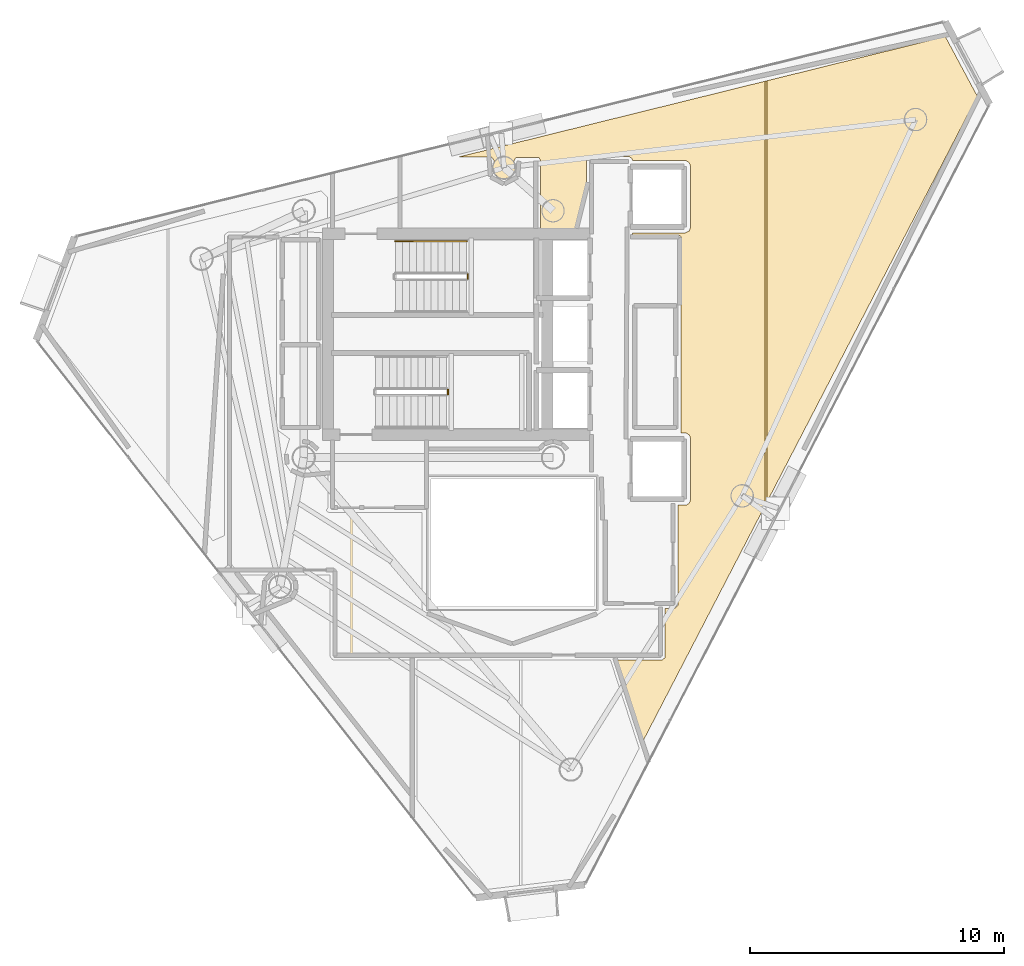
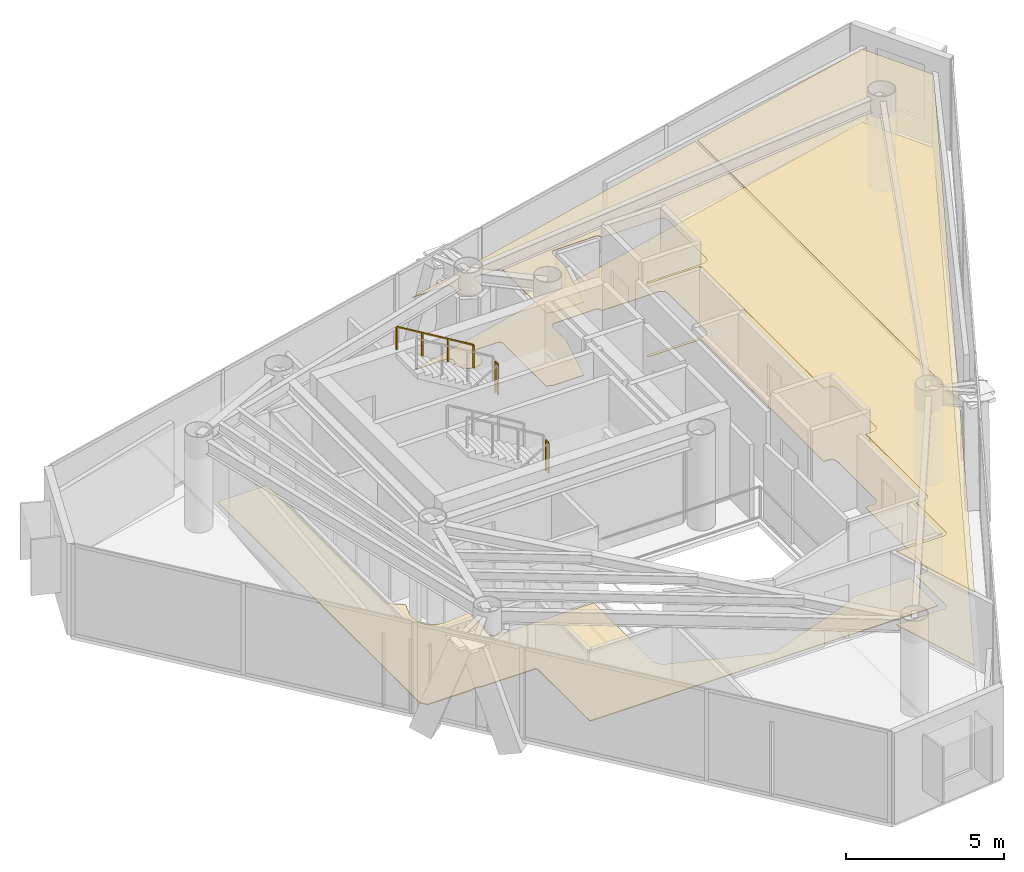
# One storey, part 21 of 21: 4 coverings, 3 railings.
"""IFC4 building model written with IfcOpenShell, lengths in metres."""

from ifc_helpers import new_model, si_unit, direction, frame, origin, origin_2d, place, context, subcontext, project, spatial, polyline, rectangle, outline, extrude, material, layer, layer_set, type_object, element, save


model = new_model("IFC4")

# Units and contexts
model_context = context("Model", 3, precision=1e-05, world=origin(), true_north=direction((0.0, 1.0)))
body_context = subcontext(model_context, "Body", "Model", "MODEL_VIEW")
ifc_project = project(units=[si_unit("LENGTHUNIT", "METRE"), si_unit("AREAUNIT", "SQUARE_METRE"), si_unit("VOLUMEUNIT", "CUBIC_METRE"), si_unit("PLANEANGLEUNIT", "RADIAN"), si_unit("MASSUNIT", "GRAM", prefix="KILO")], contexts=[model_context])

# Site, building, storey
site_placement = place(None, origin())
site = spatial("IfcSite", under=ifc_project, at=site_placement, CompositionType="ELEMENT")
building_placement = place(site_placement, origin())
building = spatial("IfcBuilding", under=site, at=building_placement, Name="Qianvela Tower", CompositionType="ELEMENT")
storey_placement = place(building_placement, frame((0.0, 0.0, 310.199951171875)))
storey = spatial("IfcBuildingStorey", under=building, at=storey_placement, Name="L80", CompositionType="ELEMENT", Elevation=310.199951171875)

# Coverings
ifc_material_1 = material(Name="Perforated Mineral Acoustic Ceiling Tile")
ifc_layer_1 = layer(ifc_material_1, 0.02490234375)
ifc_layer_set_1 = layer_set([ifc_layer_1], Name="Perforated Mineral Acoustic Ceiling Tile")
covering_type_1 = type_object("IfcCoveringType", Name="COV-CEIL-ACOUSTIC-25", PredefinedType="CEILING", material=ifc_layer_set_1)
covering_1_placement = place(storey_placement, frame((0.0, 0.0, 2.81494140625)))
element("IfcCovering", 1, at=covering_1_placement, inside=storey, type_object=covering_type_1, Name="L80 Acoustic Ceiling Bay 1 Student Tea Pantry L80-02", PredefinedType="CEILING", context=body_context, shape_type="SweptSolid", body=[
    extrude(outline(polyline([(41.512939453125, 35.562744140625), (41.511474609375, 35.5703125), (41.509033203125, 35.577880859375), (41.506103515625, 35.585205078125), (41.50244140625, 35.591796875), (41.498046875, 35.598388671875), (41.4931640625, 35.6044921875), (41.487548828125, 35.60986328125), (41.481689453125, 35.614990234375), (41.41552734375, 35.663818359375), (41.4091796875, 35.66796875), (41.40283203125, 35.671630859375), (41.39599609375, 35.674560546875), (41.388916015625, 35.6767578125), (41.381591796875, 35.678466796875), (41.374267578125, 35.679443359375), (41.366943359375, 35.6796875), (39.828369140625, 35.661865234375), (39.8203125, 35.661376953125), (39.812255859375, 35.659912109375), (39.804443359375, 35.657958984375), (39.796875, 35.655029296875), (39.78955078125, 35.6513671875), (39.78271484375, 35.64697265625), (39.7763671875, 35.641845703125), (39.7705078125, 35.63623046875), (39.765380859375, 35.6298828125), (39.7607421875, 35.623291015625), (39.7568359375, 35.615966796875), (39.727783203125, 35.55419921875), (39.724365234375, 35.5458984375), (39.721923828125, 35.53759765625), (39.720458984375, 35.52880859375), (39.719970703125, 35.52001953125), (39.719970703125, 34.664306640625), (39.2353515625, 32.719970703125), (38.129150390625, 32.719970703125), (38.068115234375, 32.756103515625), (38.060791015625, 32.760009765625), (38.052978515625, 32.76318359375), (38.044921875, 32.765380859375), (38.03662109375, 32.766845703125), (38.0283203125, 32.767333984375), (37.907470703125, 32.768798828125), (37.909912109375, 35.5), (37.90966796875, 35.5078125), (37.908447265625, 35.515625), (37.906494140625, 35.523193359375), (37.90380859375, 35.530517578125), (37.900634765625, 35.53759765625), (37.864990234375, 35.604248046875), (37.861083984375, 35.611083984375), (37.856201171875, 35.6171875), (37.85107421875, 35.623046875), (37.84521484375, 35.62841796875), (37.8388671875, 35.633056640625), (37.83203125, 35.63720703125), (37.824951171875, 35.640380859375), (37.817626953125, 35.64306640625), (37.81005859375, 35.64501953125), (37.80224609375, 35.64599609375), (37.79443359375, 35.646484375), (36.981689453125, 35.64599609375), (36.973876953125, 35.645751953125), (36.966064453125, 35.64453125), (36.958251953125, 35.642578125), (36.95068359375, 35.639892578125), (36.943603515625, 35.63623046875), (36.936767578125, 35.632080078125), (36.930419921875, 35.627197265625), (36.924560546875, 35.621826171875), (36.919189453125, 35.615966796875), (36.91455078125, 35.609375), (36.91064453125, 35.6025390625), (36.875732421875, 35.5341796875), (36.87255859375, 35.527099609375), (36.8701171875, 35.51953125), (36.8681640625, 35.511962890625), (36.8671875, 35.504150390625), (36.866943359375, 35.49609375), (36.86767578125, 35.48828125), (36.868896484375, 35.48046875), (36.92431640625, 35.23291015625), (36.91748046875, 35.163330078125), (36.84765625, 34.99462890625), (36.72705078125, 34.874267578125), (36.4755859375, 34.796142578125), (36.305419921875, 34.830078125), (36.10302734375, 34.998291015625), (36.03466796875, 35.163330078125), (36.02783203125, 35.23291015625), (36.0830078125, 35.48046875), (36.08447265625, 35.48779296875), (36.0849609375, 35.495361328125), (36.0849609375, 35.502685546875), (36.083984375, 35.51025390625), (36.08251953125, 35.517578125), (36.080322265625, 35.524658203125), (36.077392578125, 35.53173828125), (36.07421875, 35.538330078125), (36.070068359375, 35.544677734375), (36.013671875, 35.623046875), (36.0087890625, 35.62890625), (36.003662109375, 35.634521484375), (35.997802734375, 35.639404296875), (35.99169921875, 35.643798828125), (35.985107421875, 35.647705078125), (35.978271484375, 35.650634765625), (35.97119140625, 35.6533203125), (35.9638671875, 35.655029296875), (35.956298828125, 35.656005859375), (35.94873046875, 35.656494140625), (34.66748046875, 35.65869140625), (46.723388671875, 38.639404296875), (46.723388671875, 21.94140625), (41.942626953125, 12.721435546875), (40.9130859375, 15.889892578125), (42.64990234375, 15.889892578125), (42.6572265625, 15.890380859375), (42.66455078125, 15.891357421875), (42.671630859375, 15.89306640625), (42.678466796875, 15.895263671875), (42.685302734375, 15.898193359375), (42.691650390625, 15.901611328125), (42.69775390625, 15.90576171875), (42.774169921875, 15.96240234375), (42.780517578125, 15.9677734375), (42.786376953125, 15.9736328125), (42.79150390625, 15.980224609375), (42.7958984375, 15.987060546875), (42.7998046875, 15.994384765625), (42.802734375, 16.002197265625), (42.8046875, 16.01025390625), (42.80615234375, 16.0185546875), (42.806640625, 16.026611328125), (42.807373046875, 17.920166015625), (43.157958984375, 17.92041015625), (43.165771484375, 17.9208984375), (43.173583984375, 17.921875), (43.18115234375, 17.923828125), (43.1884765625, 17.926513671875), (43.195556640625, 17.9296875), (43.202392578125, 17.933837890625), (43.20849609375, 17.938720703125), (43.21435546875, 17.94384765625), (43.2861328125, 18.015625), (43.29150390625, 18.021484375), (43.296142578125, 18.027587890625), (43.30029296875, 18.034423828125), (43.303466796875, 18.04150390625), (43.30615234375, 18.048828125), (43.30810546875, 18.056640625), (43.30908203125, 18.064208984375), (43.3095703125, 18.072265625), (43.309326171875, 21.981201171875), (43.621826171875, 21.986083984375), (43.62939453125, 21.986572265625), (43.63720703125, 21.98779296875), (43.64453125, 21.98974609375), (43.651611328125, 21.9921875), (43.658447265625, 21.99560546875), (43.6650390625, 21.99951171875), (43.732666015625, 22.044677734375), (43.739013671875, 22.04931640625), (43.744873046875, 22.0546875), (43.75, 22.060302734375), (43.754638671875, 22.066650390625), (43.7587890625, 22.073486328125), (43.76220703125, 22.08056640625), (43.793212890625, 22.15576171875), (43.7958984375, 22.1630859375), (43.7978515625, 22.170654296875), (43.798828125, 22.178466796875), (43.79931640625, 22.186279296875), (43.800048828125, 24.60009765625), (43.7998046875, 24.606689453125), (43.798828125, 24.61376953125), (43.79736328125, 24.620361328125), (43.79541015625, 24.626953125), (43.763427734375, 24.7158203125), (43.76025390625, 24.723388671875), (43.75634765625, 24.73095703125), (43.75146484375, 24.73779296875), (43.74609375, 24.744140625), (43.73974609375, 24.75), (43.733154296875, 24.7548828125), (43.725830078125, 24.759521484375), (43.63134765625, 24.809814453125), (43.624267578125, 24.813232421875), (43.616943359375, 24.81591796875), (43.609375, 24.81787109375), (43.6015625, 24.81884765625), (43.59375, 24.8193359375), (43.423828125, 24.8193359375), (43.423828125, 24.8193359375), (43.426513671875, 24.826904296875), (43.428466796875, 24.83447265625), (43.4296875, 24.84228515625), (43.429931640625, 24.85009765625), (43.429931640625, 32.5), (43.4296875, 32.5078125), (43.428466796875, 32.515625), (43.426513671875, 32.523193359375), (43.423828125, 32.530517578125), (43.420654296875, 32.53759765625), (43.41650390625, 32.54443359375), (43.411865234375, 32.55078125), (43.406494140625, 32.556640625), (43.40087890625, 32.561767578125), (43.394287109375, 32.56640625), (43.3876953125, 32.570556640625), (43.380615234375, 32.573974609375), (43.373291015625, 32.57666015625), (43.365478515625, 32.57861328125), (43.35791015625, 32.57958984375), (43.35009765625, 32.580078125), (41.52001953125, 32.580078125), (41.52001953125, 32.679931640625), (43.580078125, 32.679931640625), (43.587158203125, 32.680419921875), (43.593994140625, 32.68115234375), (43.60107421875, 32.682861328125), (43.607666015625, 32.684814453125), (43.6142578125, 32.687744140625), (43.722412109375, 32.739013671875), (43.729248046875, 32.74267578125), (43.73583984375, 32.746826171875), (43.741943359375, 32.751953125), (43.74755859375, 32.757568359375), (43.75244140625, 32.763427734375), (43.7568359375, 32.77001953125), (43.760498046875, 32.777099609375), (43.763427734375, 32.7841796875), (43.79541015625, 32.873046875), (43.7978515625, 32.8818359375), (43.799560546875, 32.890869140625), (43.800048828125, 32.89990234375), (43.800048828125, 35.300048828125), (43.799560546875, 35.30908203125), (43.7978515625, 35.318115234375), (43.79541015625, 35.326904296875), (43.763427734375, 35.415771484375), (43.7607421875, 35.422607421875), (43.75732421875, 35.42919921875), (43.75341796875, 35.435302734375), (43.748779296875, 35.441162109375), (43.74365234375, 35.4462890625), (43.73828125, 35.451416015625), (43.732421875, 35.45556640625), (43.725830078125, 35.45947265625), (43.63134765625, 35.510009765625), (43.624267578125, 35.51318359375), (43.616943359375, 35.515869140625), (43.609375, 35.517822265625), (43.6015625, 35.518798828125), (43.59375, 35.519287109375), (41.515625, 35.52001953125), (41.513916015625, 35.554931640625), (41.512939453125, 35.562744140625)])), origin(), (0.0, 0.0, 1.0), 0.025146484375),
])
covering_2_placement = place(storey_placement, frame((0.0, 0.0, 2.81494140625)))
element("IfcCovering", 2, at=covering_2_placement, inside=storey, type_object=covering_type_1, Name="L80 Acoustic Ceiling Bay 2 Student Tea Pantry L80-02", PredefinedType="CEILING", context=body_context, shape_type="SweptSolid", body=[
    extrude(outline(polyline([(53.818115234375, 40.3935546875), (55.07568359375, 38.0498046875), (46.803466796875, 22.095703125), (46.803466796875, 38.6591796875), (53.818115234375, 40.3935546875)])), origin(), (0.0, 0.0, 1.0), 0.025146484375),
])
ifc_material_2 = material(Name="Engineered Acoustic Oak Timber Flooring", Category="wood")
ifc_layer_2 = layer(ifc_material_2, 0.02001953125)
ifc_layer_set_2 = layer_set([ifc_layer_2], Name="Engineered Acoustic Oak Timber Flooring")
covering_type_2 = type_object("IfcCoveringType", Name="COV-FLOOR-OAK-20", PredefinedType="FLOORING", material=ifc_layer_set_2)
covering_3_placement = place(storey_placement, origin())
element("IfcCovering", 3, at=covering_3_placement, inside=storey, type_object=covering_type_2, Name="L80 Finish Flooring Student Tea Pantry L80-02", PredefinedType="FLOORING", context=body_context, shape_type="SweptSolid", body=[
    extrude(outline(polyline([(41.513916015625, 35.554931640625), (41.512939453125, 35.562744140625), (41.511474609375, 35.5703125), (41.509033203125, 35.577880859375), (41.506103515625, 35.585205078125), (41.50244140625, 35.591796875), (41.498046875, 35.598388671875), (41.4931640625, 35.6044921875), (41.487548828125, 35.60986328125), (41.481689453125, 35.614990234375), (41.41552734375, 35.663818359375), (41.4091796875, 35.66796875), (41.40283203125, 35.671630859375), (41.39599609375, 35.674560546875), (41.388916015625, 35.6767578125), (41.381591796875, 35.678466796875), (41.374267578125, 35.679443359375), (41.366943359375, 35.6796875), (39.828369140625, 35.661865234375), (39.8203125, 35.661376953125), (39.812255859375, 35.659912109375), (39.804443359375, 35.657958984375), (39.796875, 35.655029296875), (39.78955078125, 35.6513671875), (39.78271484375, 35.64697265625), (39.7763671875, 35.641845703125), (39.7705078125, 35.63623046875), (39.765380859375, 35.6298828125), (39.7607421875, 35.623291015625), (39.7568359375, 35.615966796875), (39.727783203125, 35.55419921875), (39.724365234375, 35.5458984375), (39.721923828125, 35.53759765625), (39.720458984375, 35.52880859375), (39.719970703125, 35.52001953125), (39.719970703125, 34.664306640625), (39.2353515625, 32.719970703125), (38.129150390625, 32.719970703125), (38.068115234375, 32.756103515625), (38.060791015625, 32.760009765625), (38.052978515625, 32.76318359375), (38.044921875, 32.765380859375), (38.03662109375, 32.766845703125), (38.0283203125, 32.767333984375), (37.907470703125, 32.768798828125), (37.909912109375, 35.5), (37.90966796875, 35.5078125), (37.908447265625, 35.515625), (37.906494140625, 35.523193359375), (37.90380859375, 35.530517578125), (37.900634765625, 35.53759765625), (37.864990234375, 35.604248046875), (37.861083984375, 35.611083984375), (37.856201171875, 35.6171875), (37.85107421875, 35.623046875), (37.84521484375, 35.62841796875), (37.8388671875, 35.633056640625), (37.83203125, 35.63720703125), (37.824951171875, 35.640380859375), (37.817626953125, 35.64306640625), (37.81005859375, 35.64501953125), (37.80224609375, 35.64599609375), (37.79443359375, 35.646484375), (36.981689453125, 35.64599609375), (36.973876953125, 35.645751953125), (36.966064453125, 35.64453125), (36.958251953125, 35.642578125), (36.95068359375, 35.639892578125), (36.943603515625, 35.63623046875), (36.936767578125, 35.632080078125), (36.930419921875, 35.627197265625), (36.924560546875, 35.621826171875), (36.919189453125, 35.615966796875), (36.91455078125, 35.609375), (36.91064453125, 35.6025390625), (36.875732421875, 35.5341796875), (36.87255859375, 35.527099609375), (36.8701171875, 35.51953125), (36.8681640625, 35.511962890625), (36.8671875, 35.504150390625), (36.866943359375, 35.49609375), (36.86767578125, 35.48828125), (36.868896484375, 35.48046875), (36.92431640625, 35.23291015625), (36.91748046875, 35.163330078125), (36.84765625, 34.99462890625), (36.72705078125, 34.874267578125), (36.4755859375, 34.796142578125), (36.305419921875, 34.830078125), (36.10302734375, 34.998291015625), (36.03466796875, 35.163330078125), (36.02783203125, 35.23291015625), (36.0830078125, 35.48046875), (36.08447265625, 35.48779296875), (36.0849609375, 35.495361328125), (36.0849609375, 35.502685546875), (36.083984375, 35.51025390625), (36.08251953125, 35.517578125), (36.080322265625, 35.524658203125), (36.077392578125, 35.53173828125), (36.07421875, 35.538330078125), (36.070068359375, 35.544677734375), (36.013671875, 35.623046875), (36.0087890625, 35.62890625), (36.003662109375, 35.634521484375), (35.997802734375, 35.639404296875), (35.99169921875, 35.643798828125), (35.985107421875, 35.647705078125), (35.978271484375, 35.650634765625), (35.97119140625, 35.6533203125), (35.9638671875, 35.655029296875), (35.956298828125, 35.656005859375), (35.94873046875, 35.656494140625), (34.66748046875, 35.65869140625), (53.818115234375, 40.3935546875), (55.07568359375, 38.0498046875), (41.942626953125, 12.721435546875), (40.9130859375, 15.889892578125), (42.64990234375, 15.889892578125), (42.6572265625, 15.890380859375), (42.66455078125, 15.891357421875), (42.671630859375, 15.89306640625), (42.678466796875, 15.895263671875), (42.685302734375, 15.898193359375), (42.691650390625, 15.901611328125), (42.69775390625, 15.90576171875), (42.774169921875, 15.96240234375), (42.780517578125, 15.9677734375), (42.786376953125, 15.9736328125), (42.79150390625, 15.980224609375), (42.7958984375, 15.987060546875), (42.7998046875, 15.994384765625), (42.802734375, 16.002197265625), (42.8046875, 16.01025390625), (42.80615234375, 16.0185546875), (42.806640625, 16.026611328125), (42.807373046875, 17.920166015625), (43.157958984375, 17.92041015625), (43.165771484375, 17.9208984375), (43.173583984375, 17.921875), (43.18115234375, 17.923828125), (43.1884765625, 17.926513671875), (43.195556640625, 17.9296875), (43.202392578125, 17.933837890625), (43.20849609375, 17.938720703125), (43.21435546875, 17.94384765625), (43.2861328125, 18.015625), (43.29150390625, 18.021484375), (43.296142578125, 18.027587890625), (43.30029296875, 18.034423828125), (43.303466796875, 18.04150390625), (43.30615234375, 18.048828125), (43.30810546875, 18.056640625), (43.30908203125, 18.064208984375), (43.3095703125, 18.072265625), (43.309326171875, 21.981201171875), (43.621826171875, 21.986083984375), (43.62939453125, 21.986572265625), (43.63720703125, 21.98779296875), (43.64453125, 21.98974609375), (43.651611328125, 21.9921875), (43.658447265625, 21.99560546875), (43.6650390625, 21.99951171875), (43.732666015625, 22.044677734375), (43.739013671875, 22.04931640625), (43.744873046875, 22.0546875), (43.75, 22.060302734375), (43.754638671875, 22.066650390625), (43.7587890625, 22.073486328125), (43.76220703125, 22.08056640625), (43.793212890625, 22.15576171875), (43.7958984375, 22.1630859375), (43.7978515625, 22.170654296875), (43.798828125, 22.178466796875), (43.79931640625, 22.186279296875), (43.800048828125, 24.60009765625), (43.7998046875, 24.606689453125), (43.798828125, 24.61376953125), (43.79736328125, 24.620361328125), (43.79541015625, 24.626953125), (43.763427734375, 24.7158203125), (43.76025390625, 24.723388671875), (43.75634765625, 24.73095703125), (43.75146484375, 24.73779296875), (43.74609375, 24.744140625), (43.73974609375, 24.75), (43.733154296875, 24.7548828125), (43.725830078125, 24.759521484375), (43.63134765625, 24.809814453125), (43.624267578125, 24.813232421875), (43.616943359375, 24.81591796875), (43.609375, 24.81787109375), (43.6015625, 24.81884765625), (43.59375, 24.8193359375), (43.423828125, 24.8193359375), (43.423828125, 24.8193359375), (43.426513671875, 24.826904296875), (43.428466796875, 24.83447265625), (43.4296875, 24.84228515625), (43.429931640625, 24.85009765625), (43.429931640625, 32.5), (43.4296875, 32.5078125), (43.428466796875, 32.515625), (43.426513671875, 32.523193359375), (43.423828125, 32.530517578125), (43.420654296875, 32.53759765625), (43.41650390625, 32.54443359375), (43.411865234375, 32.55078125), (43.406494140625, 32.556640625), (43.40087890625, 32.561767578125), (43.394287109375, 32.56640625), (43.3876953125, 32.570556640625), (43.380615234375, 32.573974609375), (43.373291015625, 32.57666015625), (43.365478515625, 32.57861328125), (43.35791015625, 32.57958984375), (43.35009765625, 32.580078125), (41.52001953125, 32.580078125), (41.52001953125, 32.679931640625), (43.580078125, 32.679931640625), (43.587158203125, 32.680419921875), (43.593994140625, 32.68115234375), (43.60107421875, 32.682861328125), (43.607666015625, 32.684814453125), (43.6142578125, 32.687744140625), (43.722412109375, 32.739013671875), (43.729248046875, 32.74267578125), (43.73583984375, 32.746826171875), (43.741943359375, 32.751953125), (43.74755859375, 32.757568359375), (43.75244140625, 32.763427734375), (43.7568359375, 32.77001953125), (43.760498046875, 32.777099609375), (43.763427734375, 32.7841796875), (43.79541015625, 32.873046875), (43.7978515625, 32.8818359375), (43.799560546875, 32.890869140625), (43.800048828125, 32.89990234375), (43.800048828125, 35.300048828125), (43.799560546875, 35.30908203125), (43.7978515625, 35.318115234375), (43.79541015625, 35.326904296875), (43.763427734375, 35.415771484375), (43.7607421875, 35.422607421875), (43.75732421875, 35.42919921875), (43.75341796875, 35.435302734375), (43.748779296875, 35.441162109375), (43.74365234375, 35.4462890625), (43.73828125, 35.451416015625), (43.732421875, 35.45556640625), (43.725830078125, 35.45947265625), (43.63134765625, 35.510009765625), (43.624267578125, 35.51318359375), (43.616943359375, 35.515869140625), (43.609375, 35.517822265625), (43.6015625, 35.518798828125), (43.59375, 35.519287109375), (41.515625, 35.52001953125), (41.513916015625, 35.554931640625)])), origin(), (0.0, 0.0, 1.0), 0.02001953125),
])
ifc_material_3 = material(Name="Honed Stone Terrazzo Flooring", Category="masonry")
ifc_layer_3 = layer(ifc_material_3, 0.030029296875)
ifc_layer_set_3 = layer_set([ifc_layer_3], Name="Honed Stone Terrazzo Flooring")
covering_type_3 = type_object("IfcCoveringType", Name="COV-FLOOR-TERRAZZO-30", PredefinedType="FLOORING", material=ifc_layer_set_3)
covering_4_placement = place(storey_placement, origin())
element("IfcCovering", 4, at=covering_4_placement, inside=storey, type_object=covering_type_3, Name="L80 Finish Flooring L80 Floor Corridor", PredefinedType="FLOORING", context=body_context, shape_type="SweptSolid", body=[
    extrude(outline(polyline([(25.72998046875, 32.469970703125), (27.5400390625, 32.469970703125), (27.5400390625, 25.04638671875), (27.540283203125, 25.038818359375), (27.54150390625, 25.03125), (27.543212890625, 25.023681640625), (27.545654296875, 25.0166015625), (27.548828125, 25.009765625), (27.552734375, 25.003173828125), (27.61328125, 24.90869140625), (27.61767578125, 24.90283203125), (27.622314453125, 24.8974609375), (27.62744140625, 24.892333984375), (27.633056640625, 24.8876953125), (28.042236328125, 24.584228515625), (27.8662109375, 24.00390625), (27.864501953125, 23.996337890625), (27.86328125, 23.988525390625), (27.850341796875, 23.85791015625), (27.85009765625, 23.85009765625), (27.850341796875, 23.84228515625), (27.8515625, 23.83447265625), (27.902587890625, 23.577880859375), (27.904296875, 23.5703125), (27.906982421875, 23.56298828125), (27.910400390625, 23.555908203125), (27.91455078125, 23.54931640625), (28.059814453125, 23.331787109375), (28.064453125, 23.325439453125), (28.069580078125, 23.319580078125), (28.075439453125, 23.314453125), (28.081787109375, 23.309814453125), (28.29931640625, 23.16455078125), (28.305908203125, 23.160400390625), (28.31298828125, 23.156982421875), (28.3203125, 23.154296875), (28.327880859375, 23.152587890625), (28.58447265625, 23.1015625), (28.59228515625, 23.100341796875), (28.60009765625, 23.10009765625), (28.60791015625, 23.100341796875), (29.55810546875, 23.194091796875), (29.55810546875, 21.877685546875), (29.52001953125, 21.82958984375), (29.515380859375, 21.822998046875), (29.51171875, 21.81640625), (29.508544921875, 21.809326171875), (29.506103515625, 21.802001953125), (29.504150390625, 21.794189453125), (29.503173828125, 21.78662109375), (29.5029296875, 21.77880859375), (29.50341796875, 21.77099609375), (29.504638671875, 21.763427734375), (29.506591796875, 21.755859375), (29.50927734375, 21.74853515625), (29.5126953125, 21.74169921875), (29.516845703125, 21.735107421875), (29.521484375, 21.728759765625), (29.52685546875, 21.722900390625), (29.53271484375, 21.7177734375), (29.538818359375, 21.713134765625), (29.54541015625, 21.709228515625), (29.552490234375, 21.7060546875), (29.559814453125, 21.703369140625), (29.5673828125, 21.701416015625), (29.5751953125, 21.700439453125), (29.5830078125, 21.699951171875), (33.239990234375, 21.699951171875), (33.239990234375, 18.0), (33.240478515625, 17.990234375), (33.242431640625, 17.980712890625), (33.275390625, 17.8486328125), (33.277587890625, 17.841796875), (33.2802734375, 17.8349609375), (33.283447265625, 17.82861328125), (33.287353515625, 17.822509765625), (33.29150390625, 17.81689453125), (33.29638671875, 17.811279296875), (33.411376953125, 17.696533203125), (33.41796875, 17.690673828125), (33.42529296875, 17.685546875), (33.432861328125, 17.68115234375), (33.44091796875, 17.677734375), (36.77294921875, 16.482666015625), (36.780517578125, 16.48046875), (36.7880859375, 16.47900390625), (36.7958984375, 16.47802734375), (36.803955078125, 16.47802734375), (36.811767578125, 16.47900390625), (36.8193359375, 16.48046875), (36.826904296875, 16.482666015625), (40.134033203125, 17.666015625), (40.140869140625, 17.668701171875), (40.1474609375, 17.672119140625), (40.153564453125, 17.676025390625), (40.458740234375, 17.89306640625), (42.570068359375, 17.899658203125), (42.570068359375, 16.1298828125), (29.8798828125, 16.1298828125), (29.8798828125, 19.39990234375), (29.879638671875, 19.40771484375), (29.87841796875, 19.41552734375), (29.876708984375, 19.423095703125), (29.873779296875, 19.4306640625), (29.87060546875, 19.437744140625), (29.866455078125, 19.4443359375), (29.86181640625, 19.45068359375), (29.856689453125, 19.45654296875), (29.850830078125, 19.4619140625), (29.844482421875, 19.466552734375), (29.837646484375, 19.470703125), (29.83056640625, 19.473876953125), (29.8232421875, 19.4765625), (29.815673828125, 19.478515625), (29.807861328125, 19.4794921875), (29.800048828125, 19.47998046875), (27.910888671875, 19.47998046875), (27.684814453125, 19.522705078125), (27.677490234375, 19.523681640625), (27.669921875, 19.52392578125), (27.66259765625, 19.523681640625), (27.6552734375, 19.522705078125), (27.42919921875, 19.47998046875), (25.898681640625, 19.47998046875), (25.72998046875, 19.694091796875), (25.72998046875, 32.469970703125)])), origin(), (0.0, 0.0, 1.0), 0.030029296875),
])

# Railings
ifc_material_4 = material(Name="Painted Tubular Steel Q355B", Category="steel")
railing_type_1 = type_object("IfcRailingType", Name="RL-STAIR-GUARD-1200", PredefinedType="GUARDRAIL", material=ifc_material_4)
railing_1_placement = place(storey_placement, frame((35.050048828125, 30.889892578125, 1.85009765625)))
element("IfcRailing", 5, at=railing_1_placement, inside=storey, type_object=railing_type_1, Name="L80 ST-1 stair guard 2", PredefinedType="GUARDRAIL", context=body_context, shape_type="SweptSolid", body=[
    extrude(rectangle(XDim=0.050048828125, YDim=0.0400390625, at=origin_2d()), frame((0.0, 0.0, 1.179931640625), z_axis=(0.0, 1.0, 0.0), x_axis=(-1.0, 0.0, 0.0)), (0.0, 0.0, 1.0), 0.16015625),
    extrude(rectangle(XDim=0.050048828125, YDim=0.050048828125, at=origin_2d()), origin(), (0.0, 0.0, 1.0), 1.159912109375),
    extrude(rectangle(XDim=0.050048828125, YDim=0.050048828125, at=origin_2d()), frame((0.0, 0.16015625, 0.0)), (0.0, 0.0, 1.0), 1.159912109375),
])
railing_2_placement = place(storey_placement, frame((34.27001953125, 26.35009765625, 1.85009765625)))
element("IfcRailing", 6, at=railing_2_placement, inside=storey, type_object=railing_type_1, Name="L80 ST-2 stair guard 2", PredefinedType="GUARDRAIL", context=body_context, shape_type="SweptSolid", body=[
    extrude(rectangle(XDim=0.050048828125, YDim=0.0400390625, at=origin_2d()), frame((0.0, 0.0, 1.179931640625), z_axis=(0.0, 1.0, 0.0), x_axis=(-1.0, 0.0, 0.0)), (0.0, 0.0, 1.0), 0.159912109375),
    extrude(rectangle(XDim=0.050048828125, YDim=0.050048828125, at=origin_2d()), origin(), (0.0, 0.0, 1.0), 1.159912109375),
    extrude(rectangle(XDim=0.050048828125, YDim=0.050048828125, at=origin_2d()), frame((0.0, 0.159912109375, 0.0)), (0.0, 0.0, 1.0), 1.159912109375),
])
ifc_material_5 = material(Name="Brushed Stainless Steel 304", Category="steel")
railing_type_2 = type_object("IfcRailingType", Name="RL-STAIR-HANDRAIL-900", PredefinedType="HANDRAIL", material=ifc_material_5)
railing_3_placement = place(storey_placement, frame((35.0, 32.35009765625, 2.018310546875)))
element("IfcRailing", 7, at=railing_3_placement, inside=storey, type_object=railing_type_2, Name="L80 ST-1 stair handrail 2", PredefinedType="HANDRAIL", context=body_context, shape_type="SweptSolid", body=[
    extrude(rectangle(XDim=0.050048828125, YDim=0.0400390625, at=origin_2d()), frame((0.0, 0.0, 0.8798828125), z_axis=(-0.857275202839, 0.0, 0.514858452973), x_axis=(0.0, -1.0, 0.0)), (0.0, 0.0, 1.0), 3.26611328125),
    extrude(rectangle(XDim=0.050048828125, YDim=0.050048828125, at=origin_2d()), origin(), (0.0, 0.0, 1.0), 0.85986328125),
    extrude(rectangle(XDim=0.050048828125, YDim=0.050048828125, at=origin_2d()), frame((-0.933349609375, 0.0, 0.560546875)), (0.0, 0.0, 1.0), 0.85986328125),
    extrude(rectangle(XDim=0.050048828125, YDim=0.050048828125, at=origin_2d()), frame((-1.86669921875, 0.0, 1.12109375)), (0.0, 0.0, 1.0), 0.85986328125),
    extrude(rectangle(XDim=0.050048828125, YDim=0.050048828125, at=origin_2d()), frame((-2.800048828125, 0.0, 1.681640625)), (0.0, 0.0, 1.0), 0.85986328125),
])

save(model, "model.ifc")
